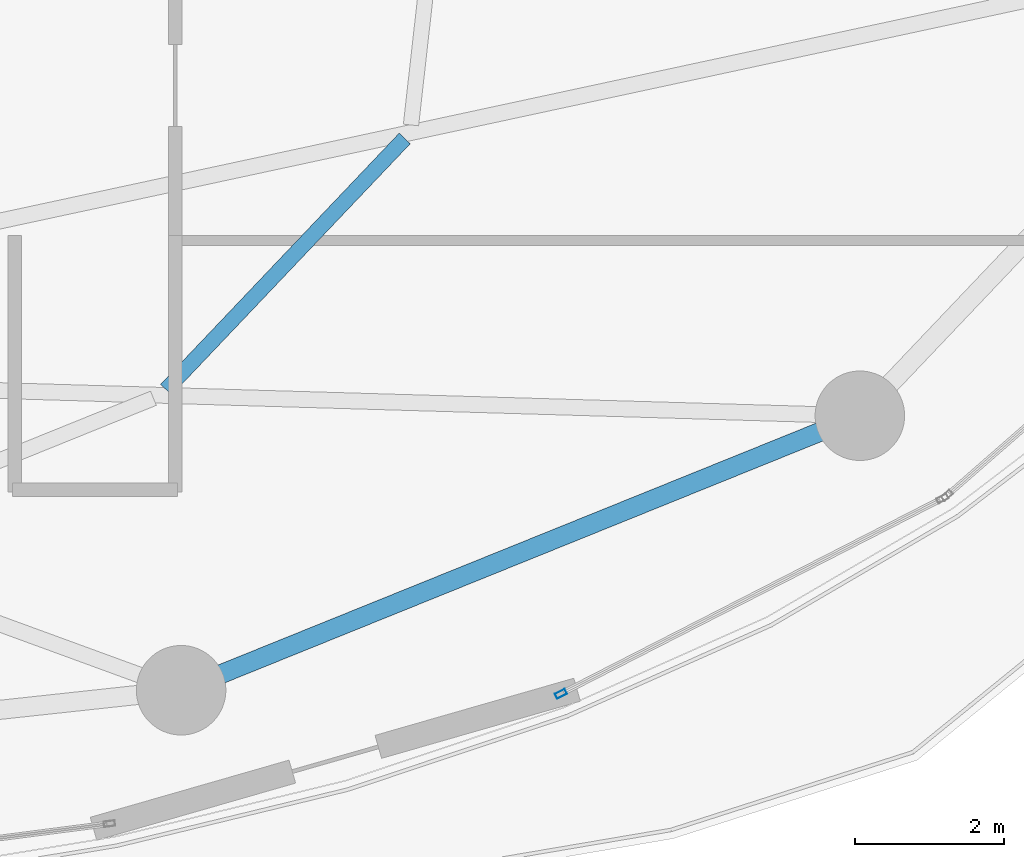
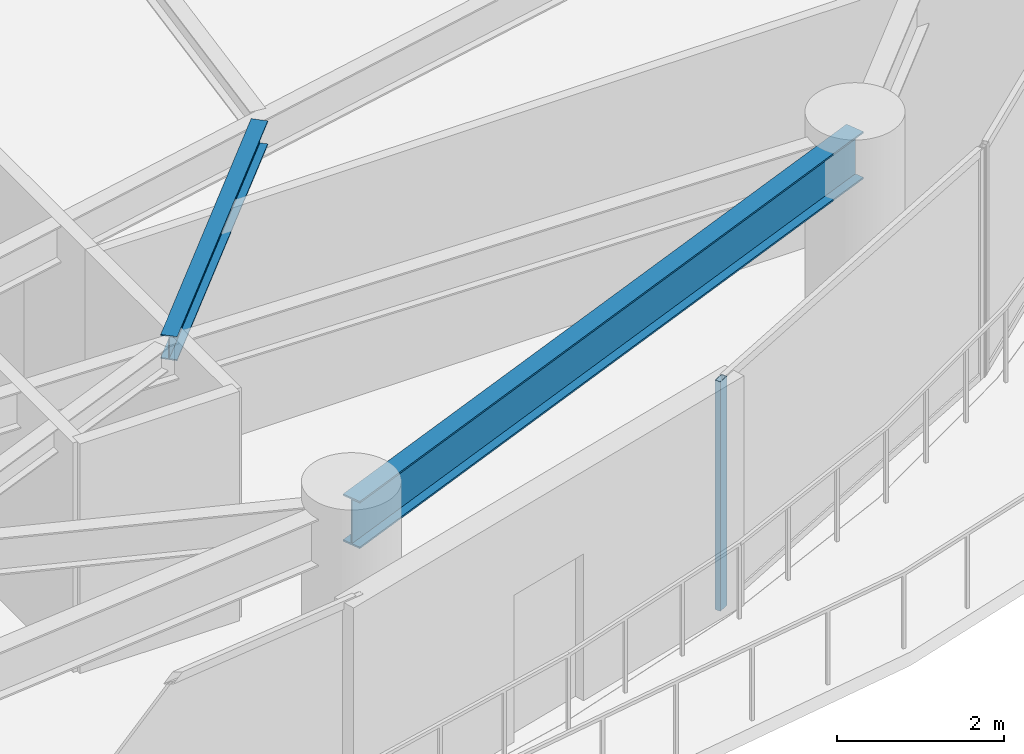
# One storey, part 11 of 30: 2 beams, 1 member, 1 element without a shape of its own.
"""IFC4 building model written with IfcOpenShell, lengths in metres."""

from ifc_helpers import new_model, si_unit, direction, frame, origin, origin_2d, place, context, subcontext, project, spatial, hollow_rectangle, i_section, extrude, material, layer, layer_set, material_profile, profile_set, type_object, element, aggregate, save


model = new_model("IFC4")

# Units and contexts
model_context = context("Model", 3, precision=1e-05, world=origin(), true_north=direction((0.0, 1.0)))
body_context = subcontext(model_context, "Body", "Model", "MODEL_VIEW")
ifc_project = project(units=[si_unit("LENGTHUNIT", "METRE"), si_unit("AREAUNIT", "SQUARE_METRE"), si_unit("VOLUMEUNIT", "CUBIC_METRE"), si_unit("PLANEANGLEUNIT", "RADIAN"), si_unit("MASSUNIT", "GRAM", prefix="KILO")], contexts=[model_context])

# Site, building, storey
site_placement = place(None, origin())
site = spatial("IfcSite", under=ifc_project, at=site_placement, CompositionType="ELEMENT")
building_placement = place(site_placement, origin())
building = spatial("IfcBuilding", under=site, at=building_placement, Name="Kazevale Care Tower and Concert Hall", CompositionType="ELEMENT")
storey_placement = place(building_placement, frame((0.0, 0.0, 131.39990234375)))
storey = spatial("IfcBuildingStorey", under=building, at=storey_placement, Name="L34", CompositionType="ELEMENT", Elevation=131.39990234375)

# Curtain wall, member
ifc_material_1 = material(Name="Aluminium 6063-T6 and Low-E Glass", Category="aluminium")
ifc_layer = layer(ifc_material_1, 0.179931640625)
ifc_layer_set = layer_set([ifc_layer], Name="Aluminium 6063-T6 and Low-E Glass")
curtain_wall_type = type_object("IfcCurtainWallType", Name="Sheltered Concave Balcony Curtain Wall CW-5", PredefinedType="NOTDEFINED", material=ifc_layer_set)
curtain_wall_placement = place(storey_placement, origin())
curtain_wall = element("IfcCurtainWall", 1, at=curtain_wall_placement, inside=storey, type_object=curtain_wall_type, Name="cw:L34:f03", PredefinedType="NOTDEFINED")
ifc_material_2 = material(Name="Aluminium 6063-T6", Category="aluminium")
ifc_material_profile_1 = material_profile(ifc_material_2, hollow_rectangle(XDim=0.074951171875, YDim=0.14990234375, WallThickness=0.00390625, at=origin_2d()), Name="ALU75x150x4")
ifc_profile_set_1 = profile_set([ifc_material_profile_1], Name="Aluminium 6063-T6")
member_type = type_object("IfcMemberType", Name="CW-5 Mullion ALU75x150x4", PredefinedType="MULLION", material=ifc_profile_set_1)
member_placement = place(storey_placement, frame((60.822265625, 19.26220703125, 0.0), z_axis=(0.0, 0.0, 1.0), x_axis=(0.455713236575, -0.890126646051, 0.0)))
member = element("IfcMember", 2, at=member_placement, type_object=member_type, Name="CW-5 mullion 2", PredefinedType="MULLION", context=body_context, shape_type="SweptSolid", body=[
    extrude(hollow_rectangle(XDim=0.074951171875, YDim=0.14990234375, WallThickness=0.00390625, at=origin_2d()), origin(), (0.0, 0.0, 1.0), 3.360107421875),
])
aggregate(curtain_wall, [member])

# Beams
ifc_material_3 = material(Name="Steel ASTM A572 Gr 50", Category="steel")
ifc_material_profile_2 = material_profile(ifc_material_3, i_section(OverallWidth=0.205078125, OverallDepth=0.35400390625, WebThickness=0.009521484375, FlangeThickness=0.016845703125, at=origin_2d()), Name="W360x79")
ifc_profile_set_2 = profile_set([ifc_material_profile_2], Name="Steel ASTM A572 Gr 50")
beam_type_1 = type_object("IfcBeamType", Name="Secondary Floor Joist W360x79", PredefinedType="JOIST", material=ifc_profile_set_2)
beam_1_placement = place(storey_placement, frame((55.529052734375, 23.341064453125, 3.18310546875), z_axis=(0.688792288395, 0.724958746032, 0.0), x_axis=(-0.724958746032, 0.688792288395, 0.0)))
element("IfcBeam", 3, at=beam_1_placement, inside=storey, type_object=beam_type_1, Name="beam:L34:joist:15", PredefinedType="JOIST", context=body_context, shape_type="SweptSolid", body=[
    extrude(i_section(OverallWidth=0.205078125, OverallDepth=0.35400390625, WebThickness=0.009521484375, FlangeThickness=0.016845703125, at=origin_2d()), origin(), (0.0, 0.0, 1.0), 4.644287109375),
])
ifc_material_profile_3 = material_profile(ifc_material_3, i_section(OverallWidth=0.256103515625, OverallDepth=0.693115234375, WebThickness=0.014404296875, FlangeThickness=0.023681640625, at=origin_2d()), Name="W690x170")
ifc_profile_set_3 = profile_set([ifc_material_profile_3], Name="Steel ASTM A572 Gr 50")
beam_type_2 = type_object("IfcBeamType", Name="Waist Ring Beam W690x170", PredefinedType="BEAM", material=ifc_profile_set_3)
beam_2_placement = place(storey_placement, frame((55.72998046875, 19.31005859375, 3.013671875), z_axis=(0.927068687828, 0.374891515041, 0.0), x_axis=(-0.374891515041, 0.927068687828, 0.0)))
element("IfcBeam", 4, at=beam_2_placement, inside=storey, type_object=beam_type_2, Name="beam:L34:ring:14", PredefinedType="BEAM", context=body_context, shape_type="SweptSolid", body=[
    extrude(i_section(OverallWidth=0.256103515625, OverallDepth=0.693115234375, WebThickness=0.014404296875, FlangeThickness=0.023681640625, at=origin_2d()), origin(), (0.0, 0.0, 1.0), 9.81591796875),
])

save(model, "model.ifc")
